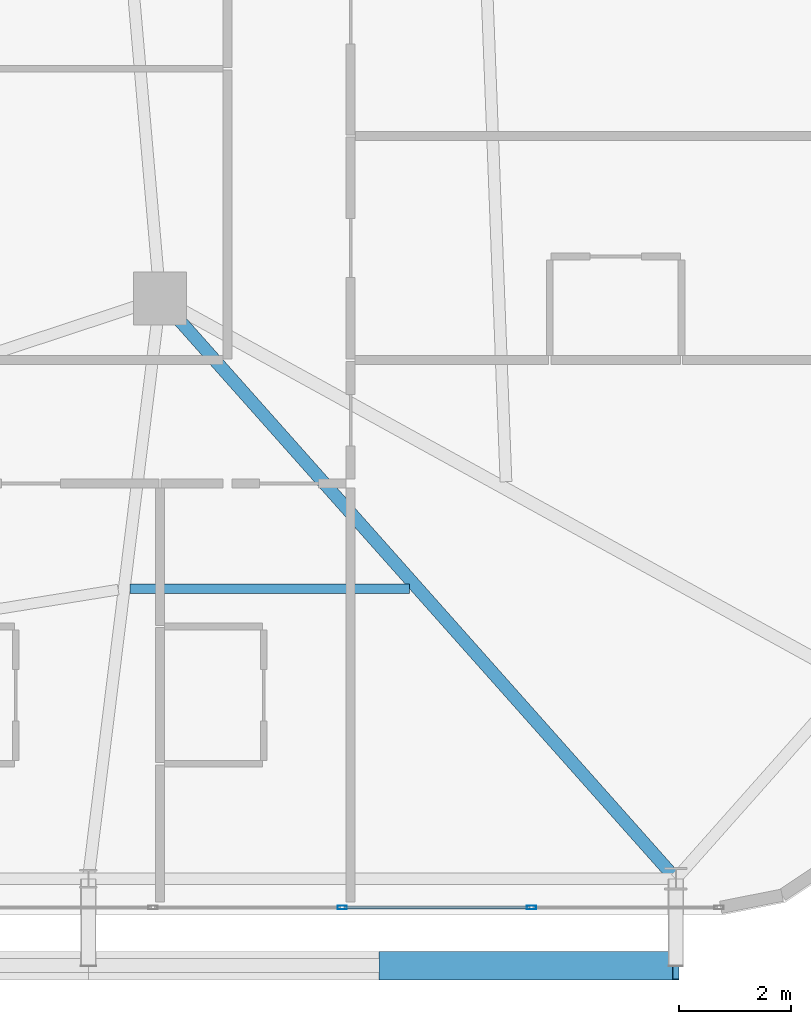
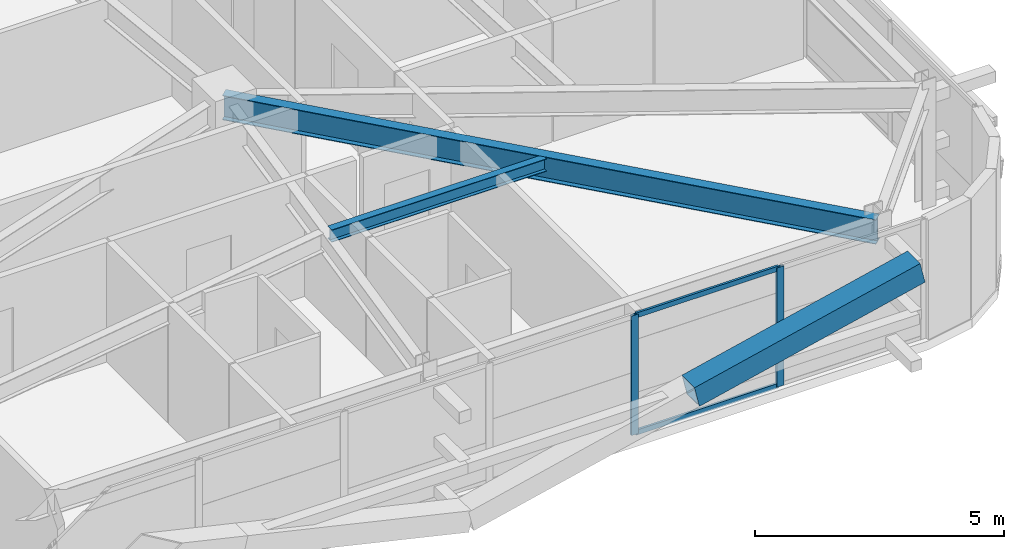
# One storey, part 23 of 59: 5 members, 2 beams, 1 element without a shape of its own.
"""IFC4 building model written with IfcOpenShell, lengths in metres."""

from ifc_helpers import new_model, si_unit, direction, frame, origin, origin_2d, place, context, subcontext, project, spatial, hollow_rectangle, i_section, extrude, source, transform, mapped, material, layer, layer_set, material_profile, profile_set, type_object, element, aggregate, save


model = new_model("IFC4")

# Units and contexts
model_context = context("Model", 3, precision=1e-05, world=origin(), true_north=direction((0.0, 1.0)))
body_context = subcontext(model_context, "Body", "Model", "MODEL_VIEW")
ifc_project = project(units=[si_unit("LENGTHUNIT", "METRE"), si_unit("AREAUNIT", "SQUARE_METRE"), si_unit("VOLUMEUNIT", "CUBIC_METRE"), si_unit("PLANEANGLEUNIT", "RADIAN"), si_unit("MASSUNIT", "GRAM", prefix="KILO")], contexts=[model_context])

# Site, building, storey
site_placement = place(None, origin())
site = spatial("IfcSite", under=ifc_project, at=site_placement, CompositionType="ELEMENT")
building_placement = place(site_placement, origin())
building = spatial("IfcBuilding", under=site, at=building_placement, Name="Taldren Reach Tower", CompositionType="ELEMENT")
storey_placement = place(building_placement, frame((0.0, 0.0, 23.10009765625)))
storey = spatial("IfcBuildingStorey", under=building, at=storey_placement, Name="L06", CompositionType="ELEMENT", Elevation=23.10009765625)

# Beams
ifc_material_1 = material(Name="Steel Gr 350 (350PLUS)", Category="steel")
ifc_material_profile_1 = material_profile(ifc_material_1, i_section(OverallWidth=0.22802734375, OverallDepth=0.60205078125, WebThickness=0.010498046875, FlangeThickness=0.014892578125, at=origin_2d()), Name="610UB101")
ifc_profile_set_1 = profile_set([ifc_material_profile_1], Name="Steel Gr 350 (350PLUS)")
beam_type_1 = type_object("IfcBeamType", Name="BM-UB610B", PredefinedType="BEAM", material=ifc_profile_set_1)
shared_shape_1 = source(origin(), body_context, "Body", "SweptSolid", [
    extrude(i_section(OverallWidth=0.22802734375, OverallDepth=0.60205078125, WebThickness=0.010498046875, FlangeThickness=0.014892578125, at=origin_2d()), origin(), (0.0, 0.0, 1.0), 13.847900390625),
])
beam_1_placement = place(storey_placement, frame((52.0, 12.5, 2.62890625), z_axis=(0.664358367375, -0.747414182164, 0.0), x_axis=(0.747414182164, 0.664358367375, 0.0)))
element("IfcBeam", 1, at=beam_1_placement, inside=storey, type_object=beam_type_1, Name="Primary floor girder B1-S6 L06", PredefinedType="BEAM", context=body_context, shape_type="MappedRepresentation", body=[
    mapped(shared_shape_1, transform((0.0, 0.0, 0.0), scale=1.0)),
])
ifc_material_2 = material(Name="Steel Gr 300 (300PLUS, 300 MPa)", Category="steel")
ifc_material_profile_2 = material_profile(ifc_material_2, i_section(OverallWidth=0.166015625, OverallDepth=0.306884765625, WebThickness=0.006591796875, FlangeThickness=0.01171875, at=origin_2d()), Name="310UB46.2")
ifc_profile_set_2 = profile_set([ifc_material_profile_2], Name="Steel Gr 300 (300PLUS, 300 MPa)")
beam_type_2 = type_object("IfcBeamType", Name="JS-UB310", PredefinedType="JOIST", material=ifc_profile_set_2)
shared_shape_2 = source(origin(), body_context, "Body", "SweptSolid", [
    extrude(i_section(OverallWidth=0.166015625, OverallDepth=0.306884765625, WebThickness=0.006591796875, FlangeThickness=0.01171875, at=origin_2d()), origin(), (0.0, 0.0, 1.0), 4.982177734375),
])
beam_2_placement = place(storey_placement, frame((51.46533203125, 7.324951171875, 2.7763671875), z_axis=(1.0, 0.0, 0.0), x_axis=(0.0, 1.0, 0.0)))
element("IfcBeam", 2, at=beam_2_placement, inside=storey, type_object=beam_type_2, Name="Secondary floor joist B1 J5 L06", PredefinedType="JOIST", context=body_context, shape_type="MappedRepresentation", body=[
    mapped(shared_shape_2, transform((0.0, 0.0, 0.0), scale=1.0)),
])

# Member
ifc_material_3 = material(Name="Steel Gr 450 (C450L0)", Category="steel")
ifc_material_profile_3 = material_profile(ifc_material_3, hollow_rectangle(XDim=0.510009765625, YDim=0.510009765625, WallThickness=0.02001953125, at=origin_2d()), Name="510x510x20.0SHS")
ifc_profile_set_3 = profile_set([ifc_material_profile_3], Name="Steel Gr 450 (C450L0)")
member_type_1 = type_object("IfcMemberType", Name="MB-EXO508", PredefinedType="BRACE", material=ifc_profile_set_3)
shared_shape_3 = source(origin(), body_context, "Body", "SweptSolid", [
    extrude(hollow_rectangle(XDim=0.510009765625, YDim=0.510009765625, WallThickness=0.02001953125, at=origin_2d()), origin(), (0.0, 0.0, 1.0), 5.37890625),
])
member_1_placement = place(storey_placement, frame((55.9599609375, 0.60009765625, 1.434814453125), z_axis=(0.97415197996, 0.0, 0.225893603143), x_axis=(0.0, 1.0, 0.0)))
element("IfcMember", 3, at=member_1_placement, inside=storey, type_object=member_type_1, Name="Exoskeleton Diagrid Brace B1-S5 L06", PredefinedType="BRACE", context=body_context, shape_type="MappedRepresentation", body=[
    mapped(shared_shape_3, transform((0.0, 0.0, 0.0), scale=1.0)),
])

# Curtain wall, members
ifc_material_4 = material(Name="Aluminium and Low-E Glass Unitised System", Category="aluminium")
ifc_layer = layer(ifc_material_4, 0.159912109375)
ifc_layer_set = layer_set([ifc_layer], Name="Aluminium and Low-E Glass Unitised System")
curtain_wall_type = type_object("IfcCurtainWallType", Name="CW-SYS-2", PredefinedType="NOTDEFINED", material=ifc_layer_set)
curtain_wall_placement = place(storey_placement, origin())
curtain_wall = element("IfcCurtainWall", 4, at=curtain_wall_placement, inside=storey, type_object=curtain_wall_type, Name="Unitised curtain wall CW-L06-S", PredefinedType="NOTDEFINED")
ifc_material_5 = material(Name="Anodised Aluminium 6063-T6", Category="aluminium")
ifc_material_profile_4 = material_profile(ifc_material_5, hollow_rectangle(XDim=0.06494140625, YDim=0.1650390625, WallThickness=0.00390625, at=origin_2d()), Name="ALU-165x65x4RHS")
ifc_profile_set_4 = profile_set([ifc_material_profile_4], Name="Anodised Aluminium 6063-T6")
member_type_2 = type_object("IfcMemberType", Name="CW-MUL-165", PredefinedType="MULLION", material=ifc_profile_set_4)
shared_shape_4 = source(origin(), body_context, "Body", "SweptSolid", [
    extrude(hollow_rectangle(XDim=0.06494140625, YDim=0.1650390625, WallThickness=0.00390625, at=origin_2d()), origin(), (0.0, 0.0, 1.0), 2.929931640625),
])
member_2_placement = place(storey_placement, frame((55.25, 1.639892578125, 0.0), z_axis=(0.0, 0.0, 1.0), x_axis=(0.0, 1.0, 0.0)))
member_2 = element("IfcMember", 5, at=member_2_placement, type_object=member_type_2, Name="CW-2 mullion 15", PredefinedType="MULLION", context=body_context, shape_type="MappedRepresentation", body=[
    mapped(shared_shape_4, transform((0.0, 0.0, 0.0), scale=1.0)),
])
member_3_placement = place(storey_placement, frame((58.625, 1.639892578125, 0.0), z_axis=(0.0, 0.0, 1.0), x_axis=(0.0, 1.0, 0.0)))
member_3 = element("IfcMember", 6, at=member_3_placement, type_object=member_type_2, Name="CW-2 mullion 16", PredefinedType="MULLION", context=body_context, shape_type="MappedRepresentation", body=[
    mapped(shared_shape_4, transform((0.0, 0.0, 0.0), scale=1.0)),
])
ifc_material_profile_5 = material_profile(ifc_material_5, hollow_rectangle(XDim=0.054931640625, YDim=0.1201171875, WallThickness=0.0029296875, at=origin_2d()), Name="ALU-120x55x3RHS")
ifc_profile_set_5 = profile_set([ifc_material_profile_5], Name="Anodised Aluminium 6063-T6")
member_type_3 = type_object("IfcMemberType", Name="CW-TRN-135", PredefinedType="USERDEFINED", material=ifc_profile_set_5)
shared_shape_5 = source(origin(), body_context, "Body", "SweptSolid", [
    extrude(hollow_rectangle(XDim=0.054931640625, YDim=0.1201171875, WallThickness=0.0029296875, at=origin_2d()), origin(), (0.0, 0.0, 1.0), 3.31005859375),
])
member_4_placement = place(storey_placement, frame((55.282470703125, 1.639892578125, 0.02734375), z_axis=(1.0, 0.0, 0.0), x_axis=(0.0, 1.0, 0.0)))
member_4 = element("IfcMember", 7, at=member_4_placement, type_object=member_type_3, Name="CW-2 transom 15.1", ObjectType="TRANSOM", PredefinedType="USERDEFINED", context=body_context, shape_type="MappedRepresentation", body=[
    mapped(shared_shape_5, transform((0.0, 0.0, 0.0), scale=1.0)),
])
member_5_placement = place(storey_placement, frame((55.282470703125, 1.639892578125, 2.90234375), z_axis=(1.0, 0.0, 0.0), x_axis=(0.0, 1.0, 0.0)))
member_5 = element("IfcMember", 8, at=member_5_placement, type_object=member_type_3, Name="CW-2 transom 15.2", ObjectType="TRANSOM", PredefinedType="USERDEFINED", context=body_context, shape_type="MappedRepresentation", body=[
    mapped(shared_shape_5, transform((0.0, 0.0, 0.0), scale=1.0)),
])
aggregate(curtain_wall, [member_2, member_3, member_4, member_5])

save(model, "model.ifc")
